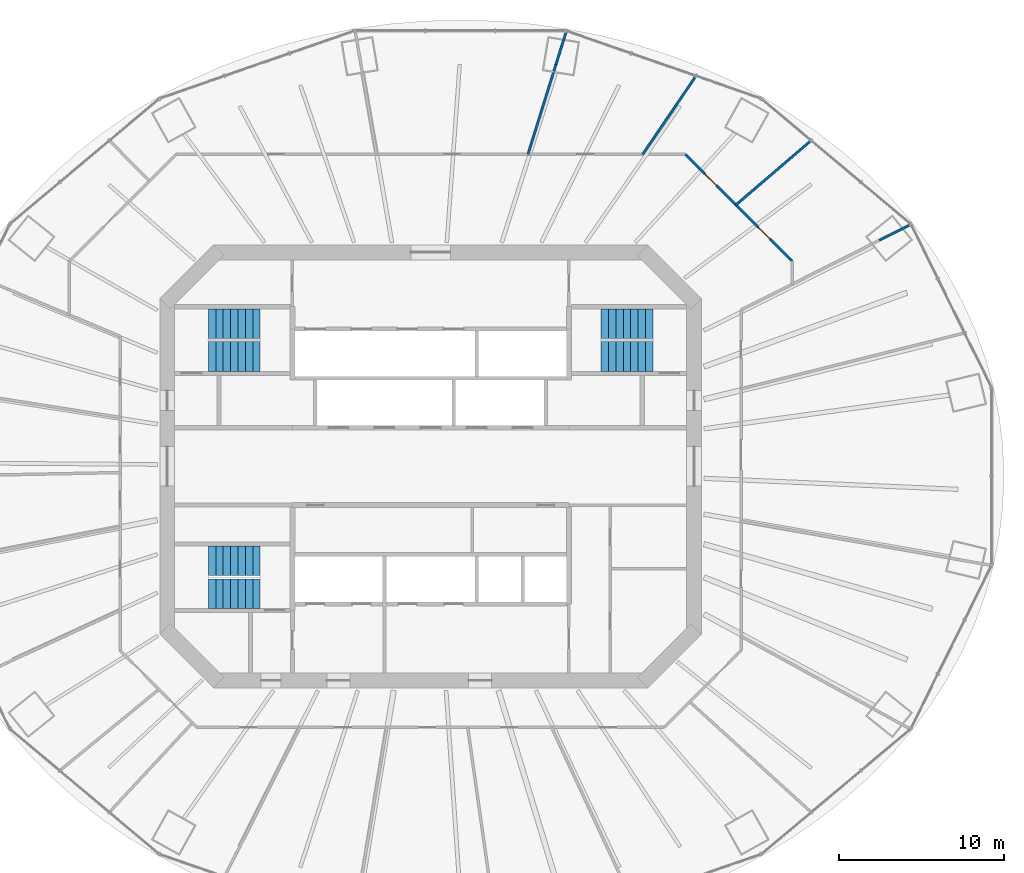
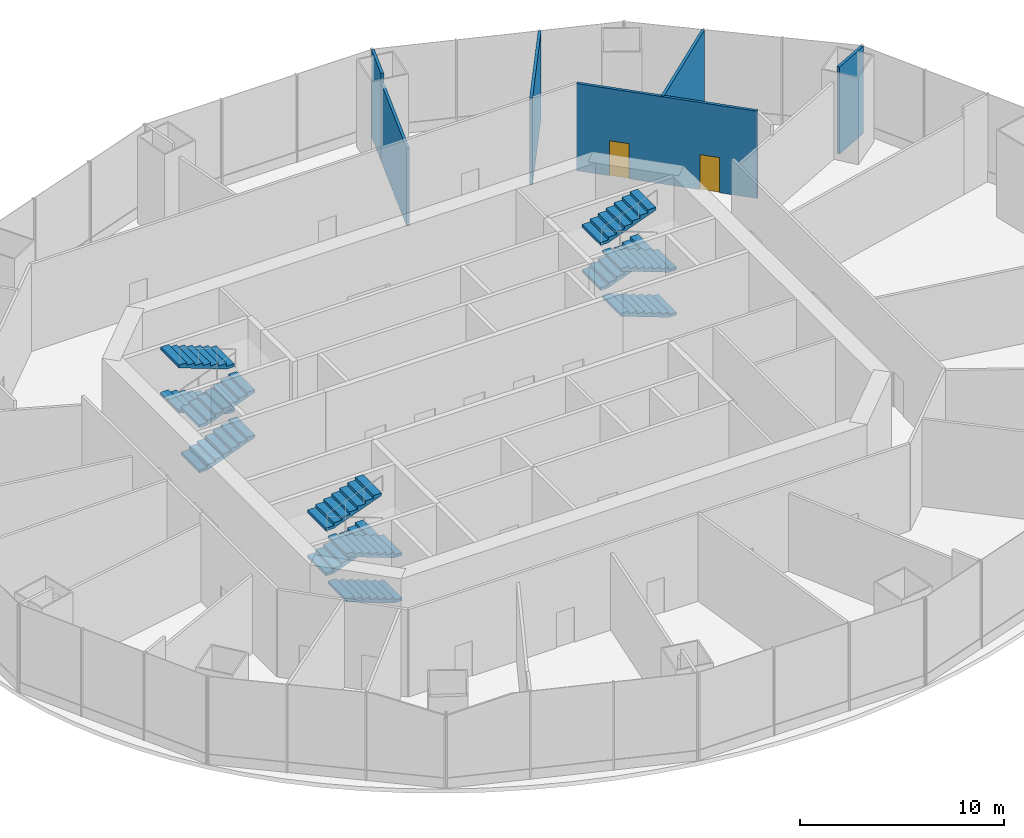
# One storey, part 14 of 15: 12 stair flights, 6 walls, 2 doors, 2 openings, 3 elements without a shape of their own.
"""IFC4 building model written with IfcOpenShell, lengths in metres."""

from ifc_helpers import new_model, si_unit, direction, frame, frame_2d, origin, place, context, subcontext, project, spatial, polyline, rectangle, outline, extrude, material, layer, layer_set, type_object, element, fill, aggregate, save


model = new_model("IFC4")

# Units and contexts
model_context = context("Model", 3, precision=1e-05, world=origin(), true_north=direction((0.0, 1.0)))
body_context = subcontext(model_context, "Body", "Model", "MODEL_VIEW")
ifc_project = project(units=[si_unit("LENGTHUNIT", "METRE"), si_unit("AREAUNIT", "SQUARE_METRE"), si_unit("VOLUMEUNIT", "CUBIC_METRE"), si_unit("PLANEANGLEUNIT", "RADIAN"), si_unit("MASSUNIT", "GRAM", prefix="KILO")], contexts=[model_context])

# Site, building, storey
site_placement = place(None, origin())
site = spatial("IfcSite", under=ifc_project, at=site_placement, CompositionType="ELEMENT")
building_placement = place(site_placement, origin())
building = spatial("IfcBuilding", under=site, at=building_placement, Name="Marenthal Gate Tower", CompositionType="ELEMENT")
storey_placement = place(building_placement, frame((0.0, 0.0, 155.64990234375)))
storey = spatial("IfcBuildingStorey", under=building, at=storey_placement, Name="L33", CompositionType="ELEMENT", Elevation=155.64990234375)

# Walls
ifc_material_1 = material(Name="Gypsum board on steel studs", Category="steel")
ifc_layer = layer(ifc_material_1, 0.14990234375)
ifc_layer_set = layer_set([ifc_layer], Name="Partition 150")
wall_type = type_object("IfcWallType", Name="Partition 150", PredefinedType="PARTITIONING", material=ifc_layer_set)
wall_1_placement = place(storey_placement, frame((27.2548828125, 13.73828125, 0.0), z_axis=(0.0, 0.0, 1.0), x_axis=(0.892996055484, 0.4500644897, 0.0)))
element("IfcWall", 1, at=wall_1_placement, inside=storey, type_object=wall_type, Name="Partition wall 84", PredefinedType="PARTITIONING", context=body_context, shape_type="SweptSolid", body=[
    extrude(rectangle(XDim=2.1220703125, YDim=0.14990234375, at=frame_2d((1.06103515625, 0.0))), origin(), (0.0, 0.0, 1.0), 5.22021484375),
])
wall_2_placement = place(storey_placement, frame((18.535888671875, 15.878662109375, 0.0), z_axis=(0.0, 0.0, 1.0), x_axis=(0.759417316623, 0.650603826621, 0.0)))
element("IfcWall", 2, at=wall_2_placement, inside=storey, type_object=wall_type, Name="Partition wall 55", PredefinedType="PARTITIONING", context=body_context, shape_type="SweptSolid", body=[
    extrude(rectangle(XDim=6.004150390625, YDim=0.14990234375, at=frame_2d((3.001953125, 0.0))), origin(), (0.0, 0.0, 1.0), 5.22021484375),
])
wall_3_placement = place(storey_placement, frame((12.875244140625, 18.949951171875, 0.0), z_axis=(0.0, 0.0, 1.0), x_axis=(0.561985643587, 0.827146985971, 0.0)))
element("IfcWall", 3, at=wall_3_placement, inside=storey, type_object=wall_type, Name="Partition wall 58", PredefinedType="PARTITIONING", context=body_context, shape_type="SweptSolid", body=[
    extrude(rectangle(XDim=5.744384765625, YDim=0.14990234375, at=frame_2d((2.8720703125, 0.0))), origin(), (0.0, 0.0, 1.0), 5.22021484375),
])
wall_4_placement = place(storey_placement, frame((5.907958984375, 18.949951171875, 0.0), z_axis=(0.0, 0.0, 1.0), x_axis=(0.297612327445, 0.95468680862, 0.0)))
element("IfcWall", 4, at=wall_4_placement, inside=storey, type_object=wall_type, Name="Partition wall 60", PredefinedType="PARTITIONING", context=body_context, shape_type="SweptSolid", body=[
    extrude(rectangle(XDim=5.7275390625, YDim=0.14990234375, at=frame_2d((2.86376953125, 0.0))), origin(), (0.0, 0.0, 1.0), 4.676025390625),
])
wall_5_placement = place(storey_placement, frame((7.612548828125, 24.41796875, 0.0), z_axis=(0.0, 0.0, 1.0), x_axis=(0.297636028927, 0.95467941964, 0.0)))
element("IfcWall", 5, at=wall_5_placement, inside=storey, type_object=wall_type, Name="Partition wall 86", PredefinedType="PARTITIONING", context=body_context, shape_type="SweptSolid", body=[
    extrude(rectangle(XDim=2.110595703125, YDim=0.14990234375, at=frame_2d((1.05517578125, 0.0))), origin(), (0.0, 0.0, 1.0), 5.22021484375),
])

# Wall, openings, doors
wall_6_placement = place(storey_placement, frame((21.949951171875, 12.464599609375, 0.0), z_axis=(0.0, 0.0, 1.0), x_axis=(-0.707106781187, 0.707106781187, 0.0)))
wall_6 = element("IfcWall", 6, at=wall_6_placement, inside=storey, type_object=wall_type, Name="Partition wall 70", PredefinedType="PARTITIONING", context=body_context, shape_type="SweptSolid", body=[
    extrude(rectangle(XDim=9.171630859375, YDim=0.14990234375, at=frame_2d((4.5859375, 0.0))), origin(), (0.0, 0.0, 1.0), 5.22021484375),
])
opening_1_placement = place(wall_6_placement, frame((1.9140625, 0.0, 0.0)))
opening_1 = element("IfcOpeningElement", 7, at=opening_1_placement, cuts=wall_6, Name="Opening D012.03", PredefinedType="OPENING", context=body_context, shape_type="SweptSolid", body=[
    extrude(rectangle(XDim=1.0, YDim=2.10009765625, at=frame_2d((0.5, 1.050048828125))), frame((0.0, 0.0849609375, 0.0), z_axis=(0.0, -1.0, 0.0), x_axis=(1.0, 0.0, 0.0)), (0.0, 0.0, 1.0), 0.169921875),
])
opening_2_placement = place(wall_6_placement, frame((6.5, 0.0, 0.0)))
opening_2 = element("IfcOpeningElement", 8, at=opening_2_placement, cuts=wall_6, Name="Opening D012.04", PredefinedType="OPENING", context=body_context, shape_type="SweptSolid", body=[
    extrude(rectangle(XDim=1.0, YDim=2.10009765625, at=frame_2d((0.5, 1.050048828125))), frame((0.0, 0.0849609375, 0.0), z_axis=(0.0, -1.0, 0.0), x_axis=(1.0, 0.0, 0.0)), (0.0, 0.0, 1.0), 0.169921875),
])
ifc_material_2 = material(Name="Timber door", Category="wood")
door_type = type_object("IfcDoorType", Name="Door 1000 x 2100", OperationType="NOTDEFINED", PredefinedType="DOOR", material=ifc_material_2)
door_1_placement = place(opening_1_placement, frame((1.0, 0.0, 0.0), z_axis=(0.0, 0.0, 1.0), x_axis=(-1.0, 0.0, 0.0)))
door_1 = element("IfcDoor", 9, at=door_1_placement, inside=storey, type_object=door_type, Name="Door D012.03", OperationType="SINGLE_SWING_LEFT", OverallHeight=2.10009765625, OverallWidth=1.0, PredefinedType="DOOR", context=body_context, shape_type="SweptSolid", body=[
    extrude(rectangle(XDim=1.0, YDim=2.10009765625, at=frame_2d((0.5, 1.050048828125))), frame((0.0, 0.02490234375, 0.0), z_axis=(0.0, -1.0, 0.0), x_axis=(1.0, 0.0, 0.0)), (0.0, 0.0, 1.0), 0.050048828125),
])
fill(opening_1, door_1)
door_2_placement = place(opening_2_placement, frame((1.0, 0.0, 0.0), z_axis=(0.0, 0.0, 1.0), x_axis=(-1.0, 0.0, 0.0)))
door_2 = element("IfcDoor", 10, at=door_2_placement, inside=storey, type_object=door_type, Name="Door D012.04", OperationType="SINGLE_SWING_LEFT", OverallHeight=2.10009765625, OverallWidth=1.0, PredefinedType="DOOR", context=body_context, shape_type="SweptSolid", body=[
    extrude(rectangle(XDim=1.0, YDim=2.10009765625, at=frame_2d((0.5, 1.050048828125))), frame((0.0, 0.02490234375, 0.0), z_axis=(0.0, -1.0, 0.0), x_axis=(1.0, 0.0, 0.0)), (0.0, 0.0, 1.0), 0.050048828125),
])
fill(opening_2, door_2)

# Stair, stair flights
ifc_material_3 = material(Name="Concrete 40 MPa", Category="concrete")
stair_type = type_object("IfcStairType", Name="Exit stair 1800", PredefinedType="HALF_TURN_STAIR", material=ifc_material_3)
stair_1_placement = place(storey_placement, origin())
stair_1 = element("IfcStair", 11, at=stair_1_placement, inside=storey, type_object=stair_type, Name="Stair ST1", PredefinedType="HALF_TURN_STAIR")
ifc_material_4 = material(Name="Concrete 40 MPa", Category="concrete")
stair_flight_type = type_object("IfcStairFlightType", Name="Stair flight 1800", PredefinedType="STRAIGHT", material=ifc_material_4)
stair_flight_1_placement = place(storey_placement, frame((-13.5, 6.675048828125, 0.0), z_axis=(0.0, 0.0, 1.0), x_axis=(1.0, 0.0, 0.0)))
stair_flight_1 = element("IfcStairFlight", 12, at=stair_flight_1_placement, type_object=stair_flight_type, Name="ST1 flight 1", NumberOfRisers=8, NumberOfTreads=7, PredefinedType="STRAIGHT", RiserHeight=0.16875, TreadLength=0.45, context=body_context, shape_type="SweptSolid", body=[
    extrude(outline(polyline([(0.0, 0.0), (0.0, 0.168701171875), (0.449951171875, 0.168701171875), (0.449951171875, 0.33740234375), (0.89990234375, 0.33740234375), (0.89990234375, 0.50634765625), (1.35009765625, 0.50634765625), (1.35009765625, 0.675048828125), (1.800048828125, 0.675048828125), (1.800048828125, 0.84375), (2.25, 0.84375), (2.25, 1.012451171875), (2.699951171875, 1.012451171875), (2.699951171875, 1.18115234375), (3.14990234375, 1.18115234375), (3.14990234375, 1.35009765625), (3.14990234375, 1.021240234375), (0.427001953125, 0.0), (0.0, 0.0)])), frame((0.0, 0.89990234375, 0.0), z_axis=(0.0, -1.0, 0.0), x_axis=(1.0, 0.0, 0.0)), (0.0, 0.0, 1.0), 1.800048828125),
])
stair_flight_2_placement = place(storey_placement, frame((-10.35009765625, 8.675048828125, 1.35009765625), z_axis=(0.0, 0.0, 1.0), x_axis=(-1.0, 0.0, 0.0)))
stair_flight_2 = element("IfcStairFlight", 13, at=stair_flight_2_placement, type_object=stair_flight_type, Name="ST1 flight 2", NumberOfRisers=8, NumberOfTreads=7, PredefinedType="STRAIGHT", RiserHeight=0.16875, TreadLength=0.45, context=body_context, shape_type="SweptSolid", body=[
    extrude(outline(polyline([(0.0, 0.0), (0.0, 0.168701171875), (0.449951171875, 0.168701171875), (0.449951171875, 0.33740234375), (0.89990234375, 0.33740234375), (0.89990234375, 0.50634765625), (1.35009765625, 0.50634765625), (1.35009765625, 0.675048828125), (1.800048828125, 0.675048828125), (1.800048828125, 0.84375), (2.25, 0.84375), (2.25, 1.012451171875), (2.699951171875, 1.012451171875), (2.699951171875, 1.18115234375), (3.14990234375, 1.18115234375), (3.14990234375, 1.35009765625), (3.14990234375, 1.021240234375), (0.427001953125, 0.0), (0.0, 0.0)])), frame((0.0, 0.89990234375, 0.0), z_axis=(0.0, -1.0, 0.0), x_axis=(1.0, 0.0, 0.0)), (0.0, 0.0, 1.0), 1.800048828125),
])
stair_flight_3_placement = place(storey_placement, frame((-13.5, 6.675048828125, 2.7001953125), z_axis=(0.0, 0.0, 1.0), x_axis=(1.0, 0.0, 0.0)))
stair_flight_3 = element("IfcStairFlight", 14, at=stair_flight_3_placement, type_object=stair_flight_type, Name="ST1 flight 3", NumberOfRisers=8, NumberOfTreads=7, PredefinedType="STRAIGHT", RiserHeight=0.16875, TreadLength=0.45, context=body_context, shape_type="SweptSolid", body=[
    extrude(outline(polyline([(0.0, 0.0), (0.0, 0.168701171875), (0.449951171875, 0.168701171875), (0.449951171875, 0.33740234375), (0.89990234375, 0.33740234375), (0.89990234375, 0.50634765625), (1.35009765625, 0.50634765625), (1.35009765625, 0.675048828125), (1.800048828125, 0.675048828125), (1.800048828125, 0.84375), (2.25, 0.84375), (2.25, 1.012451171875), (2.699951171875, 1.012451171875), (2.699951171875, 1.18115234375), (3.14990234375, 1.18115234375), (3.14990234375, 1.35009765625), (3.14990234375, 1.021240234375), (0.427001953125, 0.0), (0.0, 0.0)])), frame((0.0, 0.89990234375, 0.0), z_axis=(0.0, -1.0, 0.0), x_axis=(1.0, 0.0, 0.0)), (0.0, 0.0, 1.0), 1.800048828125),
])
stair_flight_4_placement = place(storey_placement, frame((-10.35009765625, 8.675048828125, 4.050048828125), z_axis=(0.0, 0.0, 1.0), x_axis=(-1.0, 0.0, 0.0)))
stair_flight_4 = element("IfcStairFlight", 15, at=stair_flight_4_placement, type_object=stair_flight_type, Name="ST1 flight 4", NumberOfRisers=8, NumberOfTreads=7, PredefinedType="STRAIGHT", RiserHeight=0.16875, TreadLength=0.45, context=body_context, shape_type="SweptSolid", body=[
    extrude(outline(polyline([(0.0, 0.0), (0.0, 0.168701171875), (0.449951171875, 0.168701171875), (0.449951171875, 0.33740234375), (0.89990234375, 0.33740234375), (0.89990234375, 0.50634765625), (1.35009765625, 0.50634765625), (1.35009765625, 0.675048828125), (1.800048828125, 0.675048828125), (1.800048828125, 0.84375), (2.25, 0.84375), (2.25, 1.012451171875), (2.699951171875, 1.012451171875), (2.699951171875, 1.18115234375), (3.14990234375, 1.18115234375), (3.14990234375, 1.35009765625), (3.14990234375, 1.021240234375), (0.427001953125, 0.0), (0.0, 0.0)])), frame((0.0, 0.89990234375, 0.0), z_axis=(0.0, -1.0, 0.0), x_axis=(1.0, 0.0, 0.0)), (0.0, 0.0, 1.0), 1.800048828125),
])
aggregate(stair_1, [stair_flight_1, stair_flight_2, stair_flight_3, stair_flight_4])

stair_2_placement = place(storey_placement, origin())
stair_2 = element("IfcStair", 16, at=stair_2_placement, inside=storey, type_object=stair_type, Name="Stair ST2", PredefinedType="HALF_TURN_STAIR")
stair_flight_5_placement = place(storey_placement, frame((-10.35009765625, -7.72509765625, 0.0), z_axis=(0.0, 0.0, 1.0), x_axis=(-1.0, 0.0, 0.0)))
stair_flight_5 = element("IfcStairFlight", 17, at=stair_flight_5_placement, type_object=stair_flight_type, Name="ST2 flight 1", NumberOfRisers=8, NumberOfTreads=7, PredefinedType="STRAIGHT", RiserHeight=0.16875, TreadLength=0.45, context=body_context, shape_type="SweptSolid", body=[
    extrude(outline(polyline([(0.0, 0.0), (0.0, 0.168701171875), (0.449951171875, 0.168701171875), (0.449951171875, 0.33740234375), (0.89990234375, 0.33740234375), (0.89990234375, 0.50634765625), (1.35009765625, 0.50634765625), (1.35009765625, 0.675048828125), (1.800048828125, 0.675048828125), (1.800048828125, 0.84375), (2.25, 0.84375), (2.25, 1.012451171875), (2.699951171875, 1.012451171875), (2.699951171875, 1.18115234375), (3.14990234375, 1.18115234375), (3.14990234375, 1.35009765625), (3.14990234375, 1.021240234375), (0.427001953125, 0.0), (0.0, 0.0)])), frame((0.0, 0.89990234375, 0.0), z_axis=(0.0, -1.0, 0.0), x_axis=(1.0, 0.0, 0.0)), (0.0, 0.0, 1.0), 1.800048828125),
])
stair_flight_6_placement = place(storey_placement, frame((-13.5, -5.72509765625, 1.35009765625), z_axis=(0.0, 0.0, 1.0), x_axis=(1.0, 0.0, 0.0)))
stair_flight_6 = element("IfcStairFlight", 18, at=stair_flight_6_placement, type_object=stair_flight_type, Name="ST2 flight 2", NumberOfRisers=8, NumberOfTreads=7, PredefinedType="STRAIGHT", RiserHeight=0.16875, TreadLength=0.45, context=body_context, shape_type="SweptSolid", body=[
    extrude(outline(polyline([(0.0, 0.0), (0.0, 0.168701171875), (0.449951171875, 0.168701171875), (0.449951171875, 0.33740234375), (0.89990234375, 0.33740234375), (0.89990234375, 0.50634765625), (1.35009765625, 0.50634765625), (1.35009765625, 0.675048828125), (1.800048828125, 0.675048828125), (1.800048828125, 0.84375), (2.25, 0.84375), (2.25, 1.012451171875), (2.699951171875, 1.012451171875), (2.699951171875, 1.18115234375), (3.14990234375, 1.18115234375), (3.14990234375, 1.35009765625), (3.14990234375, 1.021240234375), (0.427001953125, 0.0), (0.0, 0.0)])), frame((0.0, 0.89990234375, 0.0), z_axis=(0.0, -1.0, 0.0), x_axis=(1.0, 0.0, 0.0)), (0.0, 0.0, 1.0), 1.800048828125),
])
stair_flight_7_placement = place(storey_placement, frame((-10.35009765625, -7.72509765625, 2.7001953125), z_axis=(0.0, 0.0, 1.0), x_axis=(-1.0, 0.0, 0.0)))
stair_flight_7 = element("IfcStairFlight", 19, at=stair_flight_7_placement, type_object=stair_flight_type, Name="ST2 flight 3", NumberOfRisers=8, NumberOfTreads=7, PredefinedType="STRAIGHT", RiserHeight=0.16875, TreadLength=0.45, context=body_context, shape_type="SweptSolid", body=[
    extrude(outline(polyline([(0.0, 0.0), (0.0, 0.168701171875), (0.449951171875, 0.168701171875), (0.449951171875, 0.33740234375), (0.89990234375, 0.33740234375), (0.89990234375, 0.50634765625), (1.35009765625, 0.50634765625), (1.35009765625, 0.675048828125), (1.800048828125, 0.675048828125), (1.800048828125, 0.84375), (2.25, 0.84375), (2.25, 1.012451171875), (2.699951171875, 1.012451171875), (2.699951171875, 1.18115234375), (3.14990234375, 1.18115234375), (3.14990234375, 1.35009765625), (3.14990234375, 1.021240234375), (0.427001953125, 0.0), (0.0, 0.0)])), frame((0.0, 0.89990234375, 0.0), z_axis=(0.0, -1.0, 0.0), x_axis=(1.0, 0.0, 0.0)), (0.0, 0.0, 1.0), 1.800048828125),
])
stair_flight_8_placement = place(storey_placement, frame((-13.5, -5.72509765625, 4.050048828125), z_axis=(0.0, 0.0, 1.0), x_axis=(1.0, 0.0, 0.0)))
stair_flight_8 = element("IfcStairFlight", 20, at=stair_flight_8_placement, type_object=stair_flight_type, Name="ST2 flight 4", NumberOfRisers=8, NumberOfTreads=7, PredefinedType="STRAIGHT", RiserHeight=0.16875, TreadLength=0.45, context=body_context, shape_type="SweptSolid", body=[
    extrude(outline(polyline([(0.0, 0.0), (0.0, 0.168701171875), (0.449951171875, 0.168701171875), (0.449951171875, 0.33740234375), (0.89990234375, 0.33740234375), (0.89990234375, 0.50634765625), (1.35009765625, 0.50634765625), (1.35009765625, 0.675048828125), (1.800048828125, 0.675048828125), (1.800048828125, 0.84375), (2.25, 0.84375), (2.25, 1.012451171875), (2.699951171875, 1.012451171875), (2.699951171875, 1.18115234375), (3.14990234375, 1.18115234375), (3.14990234375, 1.35009765625), (3.14990234375, 1.021240234375), (0.427001953125, 0.0), (0.0, 0.0)])), frame((0.0, 0.89990234375, 0.0), z_axis=(0.0, -1.0, 0.0), x_axis=(1.0, 0.0, 0.0)), (0.0, 0.0, 1.0), 1.800048828125),
])
aggregate(stair_2, [stair_flight_5, stair_flight_6, stair_flight_7, stair_flight_8])

stair_3_placement = place(storey_placement, origin())
stair_3 = element("IfcStair", 21, at=stair_3_placement, inside=storey, type_object=stair_type, Name="Stair ST3", PredefinedType="HALF_TURN_STAIR")
stair_flight_9_placement = place(storey_placement, frame((13.5, 6.675048828125, 0.0), z_axis=(0.0, 0.0, 1.0), x_axis=(-1.0, 0.0, 0.0)))
stair_flight_9 = element("IfcStairFlight", 22, at=stair_flight_9_placement, type_object=stair_flight_type, Name="ST3 flight 1", NumberOfRisers=8, NumberOfTreads=7, PredefinedType="STRAIGHT", RiserHeight=0.16875, TreadLength=0.45, context=body_context, shape_type="SweptSolid", body=[
    extrude(outline(polyline([(0.0, 0.0), (0.0, 0.168701171875), (0.449951171875, 0.168701171875), (0.449951171875, 0.33740234375), (0.89990234375, 0.33740234375), (0.89990234375, 0.50634765625), (1.35009765625, 0.50634765625), (1.35009765625, 0.675048828125), (1.800048828125, 0.675048828125), (1.800048828125, 0.84375), (2.25, 0.84375), (2.25, 1.012451171875), (2.699951171875, 1.012451171875), (2.699951171875, 1.18115234375), (3.14990234375, 1.18115234375), (3.14990234375, 1.35009765625), (3.14990234375, 1.021240234375), (0.427001953125, 0.0), (0.0, 0.0)])), frame((0.0, 0.89990234375, 0.0), z_axis=(0.0, -1.0, 0.0), x_axis=(1.0, 0.0, 0.0)), (0.0, 0.0, 1.0), 1.800048828125),
])
stair_flight_10_placement = place(storey_placement, frame((10.35009765625, 8.675048828125, 1.35009765625), z_axis=(0.0, 0.0, 1.0), x_axis=(1.0, 0.0, 0.0)))
stair_flight_10 = element("IfcStairFlight", 23, at=stair_flight_10_placement, type_object=stair_flight_type, Name="ST3 flight 2", NumberOfRisers=8, NumberOfTreads=7, PredefinedType="STRAIGHT", RiserHeight=0.16875, TreadLength=0.45, context=body_context, shape_type="SweptSolid", body=[
    extrude(outline(polyline([(0.0, 0.0), (0.0, 0.168701171875), (0.449951171875, 0.168701171875), (0.449951171875, 0.33740234375), (0.89990234375, 0.33740234375), (0.89990234375, 0.50634765625), (1.35009765625, 0.50634765625), (1.35009765625, 0.675048828125), (1.800048828125, 0.675048828125), (1.800048828125, 0.84375), (2.25, 0.84375), (2.25, 1.012451171875), (2.699951171875, 1.012451171875), (2.699951171875, 1.18115234375), (3.14990234375, 1.18115234375), (3.14990234375, 1.35009765625), (3.14990234375, 1.021240234375), (0.427001953125, 0.0), (0.0, 0.0)])), frame((0.0, 0.89990234375, 0.0), z_axis=(0.0, -1.0, 0.0), x_axis=(1.0, 0.0, 0.0)), (0.0, 0.0, 1.0), 1.800048828125),
])
stair_flight_11_placement = place(storey_placement, frame((13.5, 6.675048828125, 2.7001953125), z_axis=(0.0, 0.0, 1.0), x_axis=(-1.0, 0.0, 0.0)))
stair_flight_11 = element("IfcStairFlight", 24, at=stair_flight_11_placement, type_object=stair_flight_type, Name="ST3 flight 3", NumberOfRisers=8, NumberOfTreads=7, PredefinedType="STRAIGHT", RiserHeight=0.16875, TreadLength=0.45, context=body_context, shape_type="SweptSolid", body=[
    extrude(outline(polyline([(0.0, 0.0), (0.0, 0.168701171875), (0.449951171875, 0.168701171875), (0.449951171875, 0.33740234375), (0.89990234375, 0.33740234375), (0.89990234375, 0.50634765625), (1.35009765625, 0.50634765625), (1.35009765625, 0.675048828125), (1.800048828125, 0.675048828125), (1.800048828125, 0.84375), (2.25, 0.84375), (2.25, 1.012451171875), (2.699951171875, 1.012451171875), (2.699951171875, 1.18115234375), (3.14990234375, 1.18115234375), (3.14990234375, 1.35009765625), (3.14990234375, 1.021240234375), (0.427001953125, 0.0), (0.0, 0.0)])), frame((0.0, 0.89990234375, 0.0), z_axis=(0.0, -1.0, 0.0), x_axis=(1.0, 0.0, 0.0)), (0.0, 0.0, 1.0), 1.800048828125),
])
stair_flight_12_placement = place(storey_placement, frame((10.35009765625, 8.675048828125, 4.050048828125), z_axis=(0.0, 0.0, 1.0), x_axis=(1.0, 0.0, 0.0)))
stair_flight_12 = element("IfcStairFlight", 25, at=stair_flight_12_placement, type_object=stair_flight_type, Name="ST3 flight 4", NumberOfRisers=8, NumberOfTreads=7, PredefinedType="STRAIGHT", RiserHeight=0.16875, TreadLength=0.45, context=body_context, shape_type="SweptSolid", body=[
    extrude(outline(polyline([(0.0, 0.0), (0.0, 0.168701171875), (0.449951171875, 0.168701171875), (0.449951171875, 0.33740234375), (0.89990234375, 0.33740234375), (0.89990234375, 0.50634765625), (1.35009765625, 0.50634765625), (1.35009765625, 0.675048828125), (1.800048828125, 0.675048828125), (1.800048828125, 0.84375), (2.25, 0.84375), (2.25, 1.012451171875), (2.699951171875, 1.012451171875), (2.699951171875, 1.18115234375), (3.14990234375, 1.18115234375), (3.14990234375, 1.35009765625), (3.14990234375, 1.021240234375), (0.427001953125, 0.0), (0.0, 0.0)])), frame((0.0, 0.89990234375, 0.0), z_axis=(0.0, -1.0, 0.0), x_axis=(1.0, 0.0, 0.0)), (0.0, 0.0, 1.0), 1.800048828125),
])
aggregate(stair_3, [stair_flight_9, stair_flight_10, stair_flight_11, stair_flight_12])

save(model, "model.ifc")
